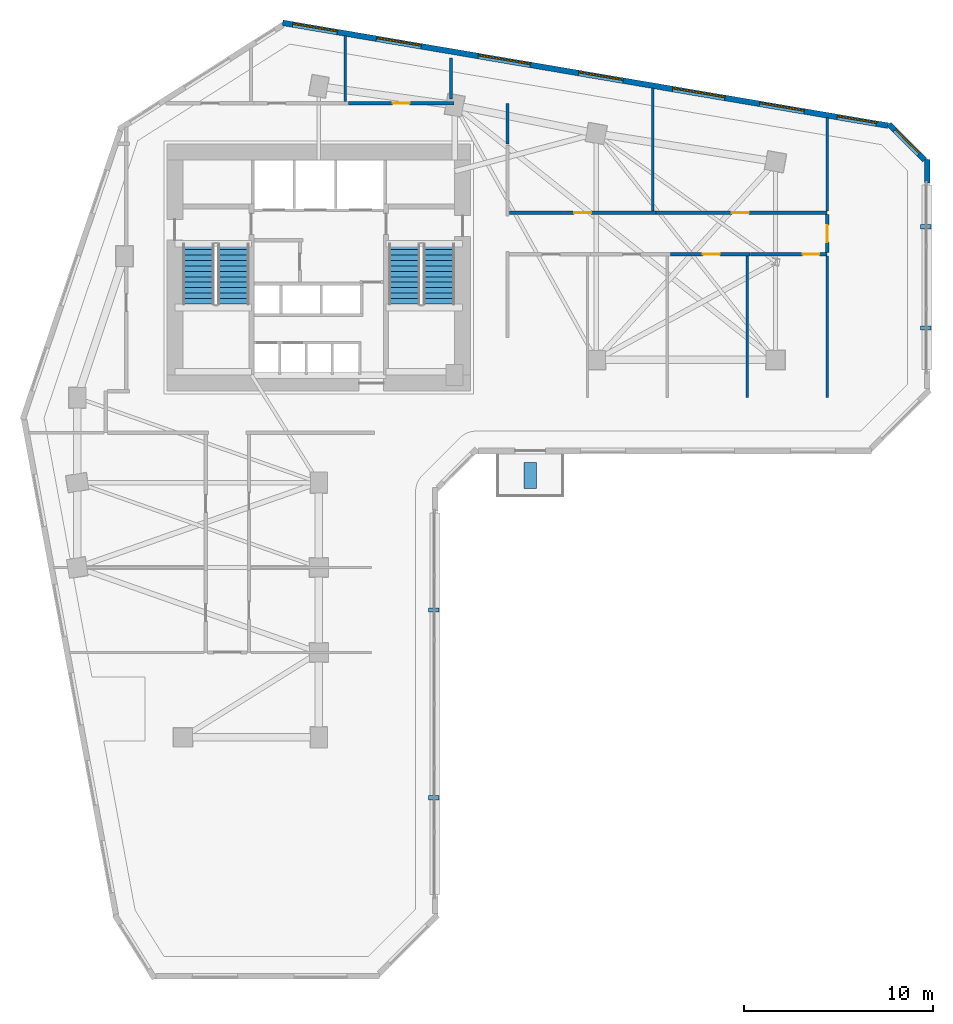
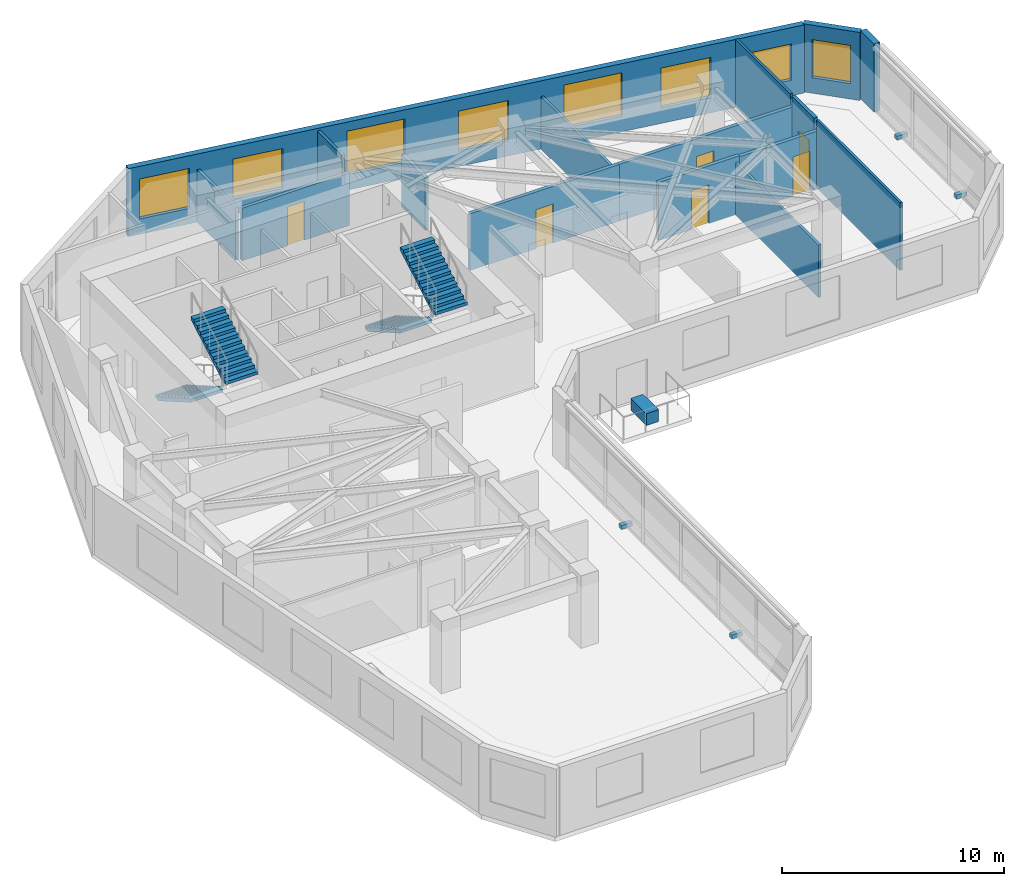
# One storey, part 7 of 10: 16 walls, 8 windows, 6 doors, 5 discrete accessories, 4 stair flights, 14 openings, 2 elements without a shape of their own.
"""IFC4 building model written with IfcOpenShell, lengths in metres."""

from ifc_helpers import new_model, si_unit, direction, frame, frame_2d, origin, origin_2d, place, context, subcontext, project, spatial, polyline, rectangle, outline, extrude, source, transform, mapped, material, layer, layer_set, type_object, element, fill, aggregate, save


model = new_model("IFC4")

# Units and contexts
model_context = context("Model", 3, precision=1e-05, world=origin(), true_north=direction((0.0, 1.0)))
body_context = subcontext(model_context, "Body", "Model", "MODEL_VIEW")
ifc_project = project(units=[si_unit("LENGTHUNIT", "METRE"), si_unit("AREAUNIT", "SQUARE_METRE"), si_unit("VOLUMEUNIT", "CUBIC_METRE"), si_unit("PLANEANGLEUNIT", "RADIAN"), si_unit("MASSUNIT", "GRAM", prefix="KILO")], contexts=[model_context])

# Site, building, storey
site_placement = place(None, origin())
site = spatial("IfcSite", under=ifc_project, at=site_placement, CompositionType="ELEMENT")
building_placement = place(site_placement, origin())
building = spatial("IfcBuilding", under=site, at=building_placement, Name="Calvemar Wedge Station Tower", CompositionType="ELEMENT")
storey_placement = place(building_placement, frame((0.0, 0.0, 87.0)))
storey = spatial("IfcBuildingStorey", under=building, at=storey_placement, Name="L21", CompositionType="ELEMENT", Elevation=87.0)

# Wall, opening, door
ifc_material_1 = material(Name="Double-stud fire-rated corridor partition")
ifc_layer_1 = layer(ifc_material_1, 0.179931640625)
ifc_layer_set_1 = layer_set([ifc_layer_1], Name="Double-stud fire-rated corridor partition")
wall_type_1 = type_object("IfcWallType", Name="W-CORR-180", PredefinedType="PARTITIONING", material=ifc_layer_set_1)
wall_1_placement = place(storey_placement, frame((25.362060546875, 48.60009765625, 0.0), z_axis=(0.0, 0.0, 1.0), x_axis=(1.0, 0.0, 0.0)))
wall_1 = element("IfcWall", 1, at=wall_1_placement, inside=storey, type_object=wall_type_1, Name="Storey L21 Interior Partition WL-L21-012", PredefinedType="PARTITIONING", context=body_context, shape_type="SweptSolid", body=[
    extrude(rectangle(XDim=5.597900390625, YDim=0.179931640625, at=frame_2d((2.798828125, 0.0))), origin(), (0.0, 0.0, 1.0), 2.89208984375),
])
shared_shape_1 = source(origin(), body_context, "Body", "SweptSolid", [
    extrude(rectangle(XDim=0.89990234375, YDim=2.14990234375, at=frame_2d((0.449951171875, 1.074951171875))), frame((0.0, 0.10009765625, 0.0), z_axis=(0.0, -1.0, 0.0), x_axis=(1.0, 0.0, 0.0)), (0.0, 0.0, 1.0), 0.199951171875),
])
opening_1_placement = place(wall_1_placement, frame((2.34912109375, 0.0, 0.0)))
opening_1 = element("IfcOpeningElement", 2, at=opening_1_placement, cuts=wall_1, Name="Opening D-01", PredefinedType="OPENING", context=body_context, shape_type="MappedRepresentation", body=[
    mapped(shared_shape_1, transform((0.0, 0.0, 0.0), scale=1.0)),
])
ifc_material_2 = material(Name="Architectural hardwood acoustic swing door", Category="wood")
door_type = type_object("IfcDoorType", Name="DR-INT-900", OperationType="NOTDEFINED", PredefinedType="DOOR", material=ifc_material_2)
shared_shape_2 = source(origin(), body_context, "Body", "SweptSolid", [
    extrude(rectangle(XDim=0.89990234375, YDim=2.14990234375, at=frame_2d((0.449951171875, 1.074951171875))), frame((0.0, 0.02490234375, 0.0), z_axis=(0.0, -1.0, 0.0), x_axis=(1.0, 0.0, 0.0)), (0.0, 0.0, 1.0), 0.050048828125),
])
door_1_placement = place(opening_1_placement, origin())
door_1 = element("IfcDoor", 3, at=door_1_placement, inside=storey, type_object=door_type, Name="L21 Female Toilet Door", OperationType="SINGLE_SWING_RIGHT", OverallHeight=2.14990234375, OverallWidth=0.89990234375, PredefinedType="DOOR", context=body_context, shape_type="MappedRepresentation", body=[
    mapped(shared_shape_2, transform((0.0, 0.0, 0.0), scale=1.0)),
])
fill(opening_1, door_1)

# Wall
wall_2_placement = place(storey_placement, frame((33.800048828125, 48.60009765625, 0.0), z_axis=(0.0, 0.0, 1.0), x_axis=(0.0, -1.0, 0.0)))
element("IfcWall", 4, at=wall_2_placement, inside=storey, type_object=wall_type_1, Name="Storey L21 Interior Partition WL-L21-013", PredefinedType="PARTITIONING", context=body_context, shape_type="SweptSolid", body=[
    extrude(rectangle(XDim=2.150146484375, YDim=0.179931640625, at=frame_2d((1.0751953125, 0.0))), origin(), (0.0, 0.0, 1.0), 2.89208984375),
])

# Wall, opening, door
wall_3_placement = place(storey_placement, frame((46.660888671875, 40.60009765625, 0.0), z_axis=(0.0, 0.0, 1.0), x_axis=(-1.0, 0.0, 0.0)))
wall_3 = element("IfcWall", 5, at=wall_3_placement, inside=storey, type_object=wall_type_1, Name="Storey L21 Interior Partition WL-L21-021", PredefinedType="PARTITIONING", context=body_context, shape_type="SweptSolid", body=[
    extrude(rectangle(XDim=4.23193359375, YDim=0.179931640625, at=frame_2d((2.115966796875, 0.0))), origin(), (0.0, 0.0, 1.0), 3.18798828125),
])
opening_2_placement = place(wall_3_placement, frame((1.605712890625, 0.0, 0.0)))
opening_2 = element("IfcOpeningElement", 6, at=opening_2_placement, cuts=wall_3, Name="Opening D-01", PredefinedType="OPENING", context=body_context, shape_type="MappedRepresentation", body=[
    mapped(shared_shape_1, transform((0.0, 0.0, 0.0), scale=1.0)),
])
door_2_placement = place(opening_2_placement, origin())
door_2 = element("IfcDoor", 7, at=door_2_placement, inside=storey, type_object=door_type, Name="L21 Co-Working Studio Door", OperationType="SINGLE_SWING_LEFT", OverallHeight=2.14990234375, OverallWidth=0.89990234375, PredefinedType="DOOR", context=body_context, shape_type="MappedRepresentation", body=[
    mapped(shared_shape_2, transform((0.0, 0.0, 0.0), scale=1.0)),
])
fill(opening_2, door_2)

wall_4_placement = place(storey_placement, frame((50.735107421875, 40.60009765625, 0.0), z_axis=(0.0, 0.0, 1.0), x_axis=(-1.0, 0.0, 0.0)))
wall_4 = element("IfcWall", 8, at=wall_4_placement, inside=storey, type_object=wall_type_1, Name="Storey L21 Interior Partition WL-L21-022", PredefinedType="PARTITIONING", context=body_context, shape_type="SweptSolid", body=[
    extrude(rectangle(XDim=4.072021484375, YDim=0.179931640625, at=frame_2d((2.0361328125, 0.0))), origin(), (0.0, 0.0, 1.0), 3.125),
])
opening_3_placement = place(wall_4_placement, frame((0.404296875, 0.0, 0.0)))
opening_3 = element("IfcOpeningElement", 9, at=opening_3_placement, cuts=wall_4, Name="Opening D-01", PredefinedType="OPENING", context=body_context, shape_type="MappedRepresentation", body=[
    mapped(shared_shape_1, transform((0.0, 0.0, 0.0), scale=1.0)),
])
door_3_placement = place(opening_3_placement, origin())
door_3 = element("IfcDoor", 10, at=door_3_placement, inside=storey, type_object=door_type, Name="L21 Meeting Room Door", OperationType="SINGLE_SWING_RIGHT", OverallHeight=2.14990234375, OverallWidth=0.89990234375, PredefinedType="DOOR", context=body_context, shape_type="MappedRepresentation", body=[
    mapped(shared_shape_2, transform((0.0, 0.0, 0.0), scale=1.0)),
])
fill(opening_3, door_3)

wall_5_placement = place(storey_placement, frame((33.89404296875, 42.800048828125, 0.0), z_axis=(0.0, 0.0, 1.0), x_axis=(1.0, 0.0, 0.0)))
wall_5 = element("IfcWall", 11, at=wall_5_placement, inside=storey, type_object=wall_type_1, Name="Storey L21 Interior Partition WL-L21-023", PredefinedType="PARTITIONING", context=body_context, shape_type="SweptSolid", body=[
    extrude(rectangle(XDim=7.765869140625, YDim=0.179931640625, at=frame_2d((3.8828125, 0.0))), origin(), (0.0, 0.0, 1.0), 3.125),
])
opening_4_placement = place(wall_5_placement, frame((3.43310546875, 0.0, 0.0)))
opening_4 = element("IfcOpeningElement", 12, at=opening_4_placement, cuts=wall_5, Name="Opening D-01", PredefinedType="OPENING", context=body_context, shape_type="MappedRepresentation", body=[
    mapped(shared_shape_1, transform((0.0, 0.0, 0.0), scale=1.0)),
])
door_4_placement = place(opening_4_placement, origin())
door_4 = element("IfcDoor", 13, at=door_4_placement, inside=storey, type_object=door_type, Name="L21 Meeting Room Door", OperationType="SINGLE_SWING_LEFT", OverallHeight=2.14990234375, OverallWidth=0.89990234375, PredefinedType="DOOR", context=body_context, shape_type="MappedRepresentation", body=[
    mapped(shared_shape_2, transform((0.0, 0.0, 0.0), scale=1.0)),
])
fill(opening_4, door_4)

wall_6_placement = place(storey_placement, frame((41.662109375, 42.800048828125, 0.0), z_axis=(0.0, 0.0, 1.0), x_axis=(1.0, 0.0, 0.0)))
wall_6 = element("IfcWall", 14, at=wall_6_placement, inside=storey, type_object=wall_type_1, Name="Storey L21 Interior Partition WL-L21-024", PredefinedType="PARTITIONING", context=body_context, shape_type="SweptSolid", body=[
    extrude(rectangle(XDim=9.072998046875, YDim=0.179931640625, at=frame_2d((4.53662109375, 0.0))), origin(), (0.0, 0.0, 1.0), 3.125),
])
opening_5_placement = place(wall_6_placement, frame((4.026123046875, 0.0, 0.0)))
opening_5 = element("IfcOpeningElement", 15, at=opening_5_placement, cuts=wall_6, Name="Opening D-01", PredefinedType="OPENING", context=body_context, shape_type="MappedRepresentation", body=[
    mapped(shared_shape_1, transform((0.0, 0.0, 0.0), scale=1.0)),
])
door_5_placement = place(opening_5_placement, origin())
door_5 = element("IfcDoor", 16, at=door_5_placement, inside=storey, type_object=door_type, Name="L21 Co-Working Studio Door", OperationType="SINGLE_SWING_RIGHT", OverallHeight=2.14990234375, OverallWidth=0.89990234375, PredefinedType="DOOR", context=body_context, shape_type="MappedRepresentation", body=[
    mapped(shared_shape_2, transform((0.0, 0.0, 0.0), scale=1.0)),
])
fill(opening_5, door_5)

wall_7_placement = place(storey_placement, frame((50.735107421875, 42.7060546875, 0.0), z_axis=(0.0, 0.0, 1.0), x_axis=(0.0, -1.0, 0.0)))
wall_7 = element("IfcWall", 17, at=wall_7_placement, inside=storey, type_object=wall_type_1, Name="Storey L21 Interior Partition WL-L21-025", PredefinedType="PARTITIONING", context=body_context, shape_type="SweptSolid", body=[
    extrude(rectangle(XDim=2.011962890625, YDim=0.179931640625, at=frame_2d((1.005859375, 0.0))), origin(), (0.0, 0.0, 1.0), 3.75),
])
opening_6_placement = place(wall_7_placement, frame((0.555908203125, 0.0, 0.0)))
opening_6 = element("IfcOpeningElement", 18, at=opening_6_placement, cuts=wall_7, Name="Opening D-01", PredefinedType="OPENING", context=body_context, shape_type="MappedRepresentation", body=[
    mapped(shared_shape_1, transform((0.0, 0.0, 0.0), scale=1.0)),
])
door_6_placement = place(opening_6_placement, origin())
door_6 = element("IfcDoor", 19, at=door_6_placement, inside=storey, type_object=door_type, Name="L21 Conference Hall Door", OperationType="SINGLE_SWING_LEFT", OverallHeight=2.14990234375, OverallWidth=0.89990234375, PredefinedType="DOOR", context=body_context, shape_type="MappedRepresentation", body=[
    mapped(shared_shape_2, transform((0.0, 0.0, 0.0), scale=1.0)),
])
fill(opening_6, door_6)

# Wall
ifc_material_3 = material(Name="Precast concrete C45", Category="concrete")
ifc_layer_2 = layer(ifc_material_3, 0.300048828125)
ifc_layer_set_2 = layer_set([ifc_layer_2], Name="Precast concrete C45")
wall_type_2 = type_object("IfcWallType", Name="W-EXT-GFRC-300", PredefinedType="SOLIDWALL", material=ifc_layer_set_2)
wall_8_placement = place(storey_placement, frame((56.050048828125, 44.390869140625, 0.0), z_axis=(0.0, 0.0, 1.0), x_axis=(0.0, 1.0, 0.0)))
element("IfcWall", 20, at=wall_8_placement, inside=storey, type_object=wall_type_2, Name="Storey L21 Bronze GFRC Corner Pier 8B", PredefinedType="SOLIDWALL", context=body_context, shape_type="SweptSolid", body=[
    extrude(rectangle(XDim=1.22509765625, YDim=0.300048828125, at=frame_2d((0.612548828125, 0.0))), origin(), (0.0, 0.0, 1.0), 3.75),
])

# Wall, opening, window
wall_9_placement = place(storey_placement, frame((55.912109375, 45.60400390625, 0.0), z_axis=(0.0, 0.0, 1.0), x_axis=(-0.707152443695, 0.707061115729, 0.0)))
wall_9 = element("IfcWall", 21, at=wall_9_placement, inside=storey, type_object=wall_type_2, Name="Storey L21 Bronze GFRC Exterior Wall 9", PredefinedType="SOLIDWALL", context=body_context, shape_type="SweptSolid", body=[
    extrude(rectangle(XDim=2.67333984375, YDim=0.300048828125, at=frame_2d((1.336669921875, 0.0))), origin(), (0.0, 0.0, 1.0), 3.75),
])
shared_shape_3 = source(origin(), body_context, "Body", "SweptSolid", [
    extrude(rectangle(XDim=1.800048828125, YDim=2.10009765625, at=frame_2d((0.89990234375, 1.050048828125))), frame((0.0, 0.16015625, 0.0), z_axis=(0.0, -1.0, 0.0), x_axis=(1.0, 0.0, 0.0)), (0.0, 0.0, 1.0), 0.320068359375),
])
opening_7_placement = place(wall_9_placement, frame((0.43701171875, 0.0, 0.85009765625)))
opening_7 = element("IfcOpeningElement", 22, at=opening_7_placement, cuts=wall_9, Name="Opening W2", PredefinedType="OPENING", context=body_context, shape_type="MappedRepresentation", body=[
    mapped(shared_shape_3, transform((0.0, 0.0, 0.0), scale=1.0)),
])
ifc_material_4 = material(Name="Low-E laminated insulated glass", Category="glass")
window_type_1 = type_object("IfcWindowType", Name="WIN-EXT-2", PartitioningType="SINGLE_PANEL", PredefinedType="WINDOW", material=ifc_material_4)
shared_shape_4 = source(origin(), body_context, "Body", "SweptSolid", [
    extrude(rectangle(XDim=1.800048828125, YDim=2.10009765625, at=frame_2d((0.89990234375, 1.050048828125))), frame((0.0, -0.014892578125, 0.0), z_axis=(0.0, -1.0, 0.0), x_axis=(1.0, 0.0, 0.0)), (0.0, 0.0, 1.0), 0.06005859375),
])
window_1_placement = place(opening_7_placement, origin())
window_1 = element("IfcWindow", 23, at=window_1_placement, inside=storey, type_object=window_type_1, Name="Storey L21 Recessed Window 9.1", OverallHeight=2.10009765625, OverallWidth=1.800048828125, PartitioningType="SINGLE_PANEL", PredefinedType="WINDOW", context=body_context, shape_type="MappedRepresentation", body=[
    mapped(shared_shape_4, transform((0.0, 0.0, 0.0), scale=1.0)),
])
fill(opening_7, window_1)

# Wall, openings, windows
wall_10_placement = place(storey_placement, frame((53.9609375, 47.41650390625, 0.0), z_axis=(0.0, 0.0, 1.0), x_axis=(-0.985865713455, 0.167537443678, 0.0)))
wall_10 = element("IfcWall", 24, at=wall_10_placement, inside=storey, type_object=wall_type_2, Name="Storey L21 Bronze GFRC Exterior Wall 10", PredefinedType="SOLIDWALL", context=body_context, shape_type="SweptSolid", body=[
    extrude(rectangle(XDim=32.537109375, YDim=0.300048828125, at=frame_2d((16.2685546875, 0.0))), origin(), (0.0, 0.0, 1.0), 3.75),
])
shared_shape_5 = source(origin(), body_context, "Body", "SweptSolid", [
    extrude(rectangle(XDim=2.10009765625, YDim=2.0, at=frame_2d((1.050048828125, 1.0))), frame((0.0, 0.16015625, 0.0), z_axis=(0.0, -1.0, 0.0), x_axis=(1.0, 0.0, 0.0)), (0.0, 0.0, 1.0), 0.320068359375),
])
opening_8_placement = place(wall_10_placement, frame((0.6259765625, 0.0, 0.85009765625)))
opening_8 = element("IfcOpeningElement", 25, at=opening_8_placement, cuts=wall_10, Name="Opening W4", PredefinedType="OPENING", context=body_context, shape_type="MappedRepresentation", body=[
    mapped(shared_shape_5, transform((0.0, 0.0, 0.0), scale=1.0)),
])
shared_shape_6 = source(origin(), body_context, "Body", "SweptSolid", [
    extrude(rectangle(XDim=2.39990234375, YDim=2.199951171875, at=frame_2d((1.199951171875, 1.10009765625))), frame((0.0, 0.16015625, 0.0), z_axis=(0.0, -1.0, 0.0), x_axis=(1.0, 0.0, 0.0)), (0.0, 0.0, 1.0), 0.320068359375),
])
opening_9_placement = place(wall_10_placement, frame((4.50390625, 0.0, 0.85009765625)))
opening_9 = element("IfcOpeningElement", 26, at=opening_9_placement, cuts=wall_10, Name="Opening W1", PredefinedType="OPENING", context=body_context, shape_type="MappedRepresentation", body=[
    mapped(shared_shape_6, transform((0.0, 0.0, 0.0), scale=1.0)),
])
shared_shape_7 = source(origin(), body_context, "Body", "SweptSolid", [
    extrude(rectangle(XDim=2.800048828125, YDim=2.39990234375, at=frame_2d((1.39990234375, 1.199951171875))), frame((0.0, 0.16015625, 0.0), z_axis=(0.0, -1.0, 0.0), x_axis=(1.0, 0.0, 0.0)), (0.0, 0.0, 1.0), 0.320068359375),
])
opening_10_placement = place(wall_10_placement, frame((8.76806640625, 0.0, 0.85009765625)))
opening_10 = element("IfcOpeningElement", 27, at=opening_10_placement, cuts=wall_10, Name="Opening W6", PredefinedType="OPENING", context=body_context, shape_type="MappedRepresentation", body=[
    mapped(shared_shape_7, transform((0.0, 0.0, 0.0), scale=1.0)),
])
opening_11_placement = place(wall_10_placement, frame((14.23388671875, 0.0, 0.85009765625)))
opening_11 = element("IfcOpeningElement", 28, at=opening_11_placement, cuts=wall_10, Name="Opening W1", PredefinedType="OPENING", context=body_context, shape_type="MappedRepresentation", body=[
    mapped(shared_shape_6, transform((0.0, 0.0, 0.0), scale=1.0)),
])
opening_12_placement = place(wall_10_placement, frame((19.221923828125, 0.0, 0.85009765625)))
opening_12 = element("IfcOpeningElement", 29, at=opening_12_placement, cuts=wall_10, Name="Opening W6", PredefinedType="OPENING", context=body_context, shape_type="MappedRepresentation", body=[
    mapped(shared_shape_7, transform((0.0, 0.0, 0.0), scale=1.0)),
])
opening_13_placement = place(wall_10_placement, frame((25.094970703125, 0.0, 0.85009765625)))
opening_13 = element("IfcOpeningElement", 30, at=opening_13_placement, cuts=wall_10, Name="Opening W1", PredefinedType="OPENING", context=body_context, shape_type="MappedRepresentation", body=[
    mapped(shared_shape_6, transform((0.0, 0.0, 0.0), scale=1.0)),
])
opening_14_placement = place(wall_10_placement, frame((29.594970703125, 0.0, 0.85009765625)))
opening_14 = element("IfcOpeningElement", 31, at=opening_14_placement, cuts=wall_10, Name="Opening W1", PredefinedType="OPENING", context=body_context, shape_type="MappedRepresentation", body=[
    mapped(shared_shape_6, transform((0.0, 0.0, 0.0), scale=1.0)),
])
window_type_2 = type_object("IfcWindowType", Name="WIN-EXT-4", PartitioningType="SINGLE_PANEL", PredefinedType="WINDOW", material=ifc_material_4)
shared_shape_8 = source(origin(), body_context, "Body", "SweptSolid", [
    extrude(rectangle(XDim=2.10009765625, YDim=2.0, at=frame_2d((1.050048828125, 1.0))), frame((0.0, -0.014892578125, 0.0), z_axis=(0.0, -1.0, 0.0), x_axis=(1.0, 0.0, 0.0)), (0.0, 0.0, 1.0), 0.06005859375),
])
window_2_placement = place(opening_8_placement, origin())
window_2 = element("IfcWindow", 32, at=window_2_placement, inside=storey, type_object=window_type_2, Name="Storey L21 Recessed Window 10.1", OverallHeight=2.0, OverallWidth=2.10009765625, PartitioningType="SINGLE_PANEL", PredefinedType="WINDOW", context=body_context, shape_type="MappedRepresentation", body=[
    mapped(shared_shape_8, transform((0.0, 0.0, 0.0), scale=1.0)),
])
fill(opening_8, window_2)
window_type_3 = type_object("IfcWindowType", Name="WIN-EXT-6", PartitioningType="SINGLE_PANEL", PredefinedType="WINDOW", material=ifc_material_4)
shared_shape_9 = source(origin(), body_context, "Body", "SweptSolid", [
    extrude(rectangle(XDim=2.800048828125, YDim=2.39990234375, at=frame_2d((1.39990234375, 1.199951171875))), frame((0.0, -0.014892578125, 0.0), z_axis=(0.0, -1.0, 0.0), x_axis=(1.0, 0.0, 0.0)), (0.0, 0.0, 1.0), 0.06005859375),
])
window_3_placement = place(opening_10_placement, origin())
window_3 = element("IfcWindow", 33, at=window_3_placement, inside=storey, type_object=window_type_3, Name="Storey L21 Recessed Window 10.3", OverallHeight=2.39990234375, OverallWidth=2.800048828125, PartitioningType="SINGLE_PANEL", PredefinedType="WINDOW", context=body_context, shape_type="MappedRepresentation", body=[
    mapped(shared_shape_9, transform((0.0, 0.0, 0.0), scale=1.0)),
])
fill(opening_10, window_3)
window_4_placement = place(opening_12_placement, origin())
window_4 = element("IfcWindow", 34, at=window_4_placement, inside=storey, type_object=window_type_3, Name="Storey L21 Recessed Window 10.5", OverallHeight=2.39990234375, OverallWidth=2.800048828125, PartitioningType="SINGLE_PANEL", PredefinedType="WINDOW", context=body_context, shape_type="MappedRepresentation", body=[
    mapped(shared_shape_9, transform((0.0, 0.0, 0.0), scale=1.0)),
])
fill(opening_12, window_4)
window_type_4 = type_object("IfcWindowType", Name="WIN-EXT-1", PartitioningType="SINGLE_PANEL", PredefinedType="WINDOW", material=ifc_material_4)
shared_shape_10 = source(origin(), body_context, "Body", "SweptSolid", [
    extrude(rectangle(XDim=2.39990234375, YDim=2.199951171875, at=frame_2d((1.199951171875, 1.10009765625))), frame((0.0, -0.014892578125, 0.0), z_axis=(0.0, -1.0, 0.0), x_axis=(1.0, 0.0, 0.0)), (0.0, 0.0, 1.0), 0.06005859375),
])
window_5_placement = place(opening_9_placement, origin())
window_5 = element("IfcWindow", 35, at=window_5_placement, inside=storey, type_object=window_type_4, Name="Storey L21 Recessed Window 10.2", OverallHeight=2.199951171875, OverallWidth=2.39990234375, PartitioningType="SINGLE_PANEL", PredefinedType="WINDOW", context=body_context, shape_type="MappedRepresentation", body=[
    mapped(shared_shape_10, transform((0.0, 0.0, 0.0), scale=1.0)),
])
fill(opening_9, window_5)
window_6_placement = place(opening_11_placement, origin())
window_6 = element("IfcWindow", 36, at=window_6_placement, inside=storey, type_object=window_type_4, Name="Storey L21 Recessed Window 10.4", OverallHeight=2.199951171875, OverallWidth=2.39990234375, PartitioningType="SINGLE_PANEL", PredefinedType="WINDOW", context=body_context, shape_type="MappedRepresentation", body=[
    mapped(shared_shape_10, transform((0.0, 0.0, 0.0), scale=1.0)),
])
fill(opening_11, window_6)
window_7_placement = place(opening_13_placement, origin())
window_7 = element("IfcWindow", 37, at=window_7_placement, inside=storey, type_object=window_type_4, Name="Storey L21 Recessed Window 10.6", OverallHeight=2.199951171875, OverallWidth=2.39990234375, PartitioningType="SINGLE_PANEL", PredefinedType="WINDOW", context=body_context, shape_type="MappedRepresentation", body=[
    mapped(shared_shape_10, transform((0.0, 0.0, 0.0), scale=1.0)),
])
fill(opening_13, window_7)
window_8_placement = place(opening_14_placement, origin())
window_8 = element("IfcWindow", 38, at=window_8_placement, inside=storey, type_object=window_type_4, Name="Storey L21 Recessed Window 10.7", OverallHeight=2.199951171875, OverallWidth=2.39990234375, PartitioningType="SINGLE_PANEL", PredefinedType="WINDOW", context=body_context, shape_type="MappedRepresentation", body=[
    mapped(shared_shape_10, transform((0.0, 0.0, 0.0), scale=1.0)),
])
fill(opening_14, window_8)

# Walls
ifc_material_5 = material(Name="Insulated acoustic gypsum stud partition")
ifc_layer_3 = layer(ifc_material_5, 0.125)
ifc_layer_set_3 = layer_set([ifc_layer_3], Name="Insulated acoustic gypsum stud partition")
wall_type_3 = type_object("IfcWallType", Name="W-PART-125", PredefinedType="PARTITIONING", material=ifc_layer_set_3)
wall_11_placement = place(storey_placement, frame((46.5009765625, 40.506103515625, 0.0), z_axis=(0.0, 0.0, 1.0), x_axis=(0.0, -1.0, 0.0)))
element("IfcWall", 39, at=wall_11_placement, inside=storey, type_object=wall_type_3, Name="Storey L21 Interior Partition WL-L21-028", PredefinedType="PARTITIONING", context=body_context, shape_type="SweptSolid", body=[
    extrude(rectangle(XDim=7.506103515625, YDim=0.125, at=frame_2d((3.7529296875, 0.0))), origin(), (0.0, 0.0, 1.0), 2.89208984375),
])
wall_12_placement = place(storey_placement, frame((50.735107421875, 40.506103515625, 0.0), z_axis=(0.0, 0.0, 1.0), x_axis=(0.0, -1.0, 0.0)))
element("IfcWall", 40, at=wall_12_placement, inside=storey, type_object=wall_type_3, Name="Storey L21 Interior Partition WL-L21-029", PredefinedType="PARTITIONING", context=body_context, shape_type="SweptSolid", body=[
    extrude(rectangle(XDim=7.506103515625, YDim=0.125, at=frame_2d((3.7529296875, 0.0))), origin(), (0.0, 0.0, 1.0), 3.75),
])
wall_13_placement = place(storey_placement, frame((41.5, 49.41748046875, 0.0), z_axis=(0.0, 0.0, 1.0), x_axis=(0.0, -1.0, 0.0)))
element("IfcWall", 41, at=wall_13_placement, inside=storey, type_object=wall_type_3, Name="Storey L21 Interior Partition WL-L21-030", PredefinedType="PARTITIONING", context=body_context, shape_type="SweptSolid", body=[
    extrude(rectangle(XDim=6.5234375, YDim=0.125, at=frame_2d((3.26171875, 0.0))), origin(), (0.0, 0.0, 1.0), 2.89208984375),
])
wall_14_placement = place(storey_placement, frame((50.735107421875, 47.847900390625, 0.0), z_axis=(0.0, 0.0, 1.0), x_axis=(0.0, -1.0, 0.0)))
element("IfcWall", 42, at=wall_14_placement, inside=storey, type_object=wall_type_3, Name="Storey L21 Interior Partition WL-L21-031", PredefinedType="PARTITIONING", context=body_context, shape_type="SweptSolid", body=[
    extrude(rectangle(XDim=4.953857421875, YDim=0.125, at=frame_2d((2.47705078125, 0.0))), origin(), (0.0, 0.0, 1.0), 3.75),
])
ifc_material_6 = material(Name="Moisture-resistant acoustic bathroom partition")
ifc_layer_4 = layer(ifc_material_6, 0.14990234375)
ifc_layer_set_4 = layer_set([ifc_layer_4], Name="Moisture-resistant acoustic bathroom partition")
wall_type_4 = type_object("IfcWallType", Name="W-WET-150", PredefinedType="PARTITIONING", material=ifc_layer_set_4)
wall_15_placement = place(storey_placement, frame((25.199951171875, 52.1875, 0.0), z_axis=(0.0, 0.0, 1.0), x_axis=(0.0, -1.0, 0.0)))
element("IfcWall", 43, at=wall_15_placement, inside=storey, type_object=wall_type_4, Name="Storey L21 Interior Partition WL-L21-018", PredefinedType="PARTITIONING", context=body_context, shape_type="SweptSolid", body=[
    extrude(rectangle(XDim=3.493408203125, YDim=0.14990234375, at=frame_2d((1.74658203125, 0.0))), origin(), (0.0, 0.0, 1.0), 2.89208984375),
])
wall_16_placement = place(storey_placement, frame((30.800048828125, 51.0126953125, 0.0), z_axis=(0.0, 0.0, 1.0), x_axis=(0.0, -1.0, 0.0)))
element("IfcWall", 44, at=wall_16_placement, inside=storey, type_object=wall_type_4, Name="Storey L21 Bathroom Enclosure Wall WL-L21-041", PredefinedType="PARTITIONING", context=body_context, shape_type="SweptSolid", body=[
    extrude(rectangle(XDim=2.192626953125, YDim=0.14990234375, at=frame_2d((1.09619140625, 0.0))), origin(), (0.0, 0.0, 1.0), 3.75),
])

# Stair, stair flights
ifc_material_7 = material(Name="Concrete C45", Category="concrete")
stair_type = type_object("IfcStairType", Name="ST-TYPE-4000", PredefinedType="HALF_TURN_STAIR", material=ifc_material_7)
stair_1_placement = place(storey_placement, origin())
stair_1 = element("IfcStair", 45, at=stair_1_placement, inside=storey, type_object=stair_type, Name="L21 Pressurized Core Exit Stair ST-C1", PredefinedType="HALF_TURN_STAIR")
stair_flight_type = type_object("IfcStairFlightType", Name="STF-TYPE-4000", PredefinedType="STRAIGHT", material=ifc_material_7)
stair_flight_1_placement = place(storey_placement, frame((17.429931640625, 41.14990234375, 0.0), z_axis=(0.0, 0.0, 1.0), x_axis=(0.0, -1.0, 0.0)))
stair_flight_1 = element("IfcStairFlight", 46, at=stair_flight_1_placement, type_object=stair_flight_type, Name="ST-C1 flight 1", NumberOfRisers=12, NumberOfTreads=11, PredefinedType="STRAIGHT", RiserHeight=0.166666667, TreadLength=0.29, context=body_context, shape_type="SweptSolid", body=[
    extrude(outline(polyline([(0.0, 0.0), (0.0, 0.166748046875), (0.2900390625, 0.166748046875), (0.2900390625, 0.333251953125), (0.580078125, 0.333251953125), (0.580078125, 0.5), (0.8701171875, 0.5), (0.8701171875, 0.666748046875), (1.159912109375, 0.666748046875), (1.159912109375, 0.833251953125), (1.449951171875, 0.833251953125), (1.449951171875, 1.0), (1.739990234375, 1.0), (1.739990234375, 1.166748046875), (2.030029296875, 1.166748046875), (2.030029296875, 1.333251953125), (2.320068359375, 1.333251953125), (2.320068359375, 1.5), (2.610107421875, 1.5), (2.610107421875, 1.666748046875), (2.89990234375, 1.666748046875), (2.89990234375, 1.833251953125), (3.18994140625, 1.833251953125), (3.18994140625, 2.0), (3.18994140625, 1.660400390625), (0.30078125, 0.0), (0.0, 0.0)])), frame((0.0, 0.830078125, 0.0), z_axis=(0.0, -1.0, 0.0), x_axis=(1.0, 0.0, 0.0)), (0.0, 0.0, 1.0), 1.659912109375),
])
stair_flight_2_placement = place(storey_placement, frame((19.27001953125, 37.9599609375, 2.0), z_axis=(0.0, 0.0, 1.0), x_axis=(0.0, 1.0, 0.0)))
stair_flight_2 = element("IfcStairFlight", 47, at=stair_flight_2_placement, type_object=stair_flight_type, Name="ST-C1 flight 2", NumberOfRisers=12, NumberOfTreads=11, PredefinedType="STRAIGHT", RiserHeight=0.166666667, TreadLength=0.29, context=body_context, shape_type="SweptSolid", body=[
    extrude(outline(polyline([(0.0, 0.0), (0.0, 0.166748046875), (0.2900390625, 0.166748046875), (0.2900390625, 0.333251953125), (0.580078125, 0.333251953125), (0.580078125, 0.5), (0.8701171875, 0.5), (0.8701171875, 0.666748046875), (1.159912109375, 0.666748046875), (1.159912109375, 0.833251953125), (1.449951171875, 0.833251953125), (1.449951171875, 1.0), (1.739990234375, 1.0), (1.739990234375, 1.166748046875), (2.030029296875, 1.166748046875), (2.030029296875, 1.333251953125), (2.320068359375, 1.333251953125), (2.320068359375, 1.5), (2.610107421875, 1.5), (2.610107421875, 1.666748046875), (2.89990234375, 1.666748046875), (2.89990234375, 1.833251953125), (3.18994140625, 1.833251953125), (3.18994140625, 2.0), (3.18994140625, 1.660400390625), (0.30078125, 0.0), (0.0, 0.0)])), frame((0.0, 0.830078125, 0.0), z_axis=(0.0, -1.0, 0.0), x_axis=(1.0, 0.0, 0.0)), (0.0, 0.0, 1.0), 1.659912109375),
])
aggregate(stair_1, [stair_flight_1, stair_flight_2])

stair_2_placement = place(storey_placement, origin())
stair_2 = element("IfcStair", 48, at=stair_2_placement, inside=storey, type_object=stair_type, Name="L21 Pressurized Core Exit Stair ST-C2", PredefinedType="HALF_TURN_STAIR")
stair_flight_3_placement = place(storey_placement, frame((28.330078125, 41.14990234375, 0.0), z_axis=(0.0, 0.0, 1.0), x_axis=(0.0, -1.0, 0.0)))
stair_flight_3 = element("IfcStairFlight", 49, at=stair_flight_3_placement, type_object=stair_flight_type, Name="ST-C2 flight 1", NumberOfRisers=12, NumberOfTreads=11, PredefinedType="STRAIGHT", RiserHeight=0.166666667, TreadLength=0.29, context=body_context, shape_type="SweptSolid", body=[
    extrude(outline(polyline([(0.0, 0.0), (0.0, 0.166748046875), (0.2900390625, 0.166748046875), (0.2900390625, 0.333251953125), (0.580078125, 0.333251953125), (0.580078125, 0.5), (0.8701171875, 0.5), (0.8701171875, 0.666748046875), (1.159912109375, 0.666748046875), (1.159912109375, 0.833251953125), (1.449951171875, 0.833251953125), (1.449951171875, 1.0), (1.739990234375, 1.0), (1.739990234375, 1.166748046875), (2.030029296875, 1.166748046875), (2.030029296875, 1.333251953125), (2.320068359375, 1.333251953125), (2.320068359375, 1.5), (2.610107421875, 1.5), (2.610107421875, 1.666748046875), (2.89990234375, 1.666748046875), (2.89990234375, 1.833251953125), (3.18994140625, 1.833251953125), (3.18994140625, 2.0), (3.18994140625, 1.660400390625), (0.30078125, 0.0), (0.0, 0.0)])), frame((0.0, 0.830078125, 0.0), z_axis=(0.0, -1.0, 0.0), x_axis=(1.0, 0.0, 0.0)), (0.0, 0.0, 1.0), 1.659912109375),
])
stair_flight_4_placement = place(storey_placement, frame((30.169921875, 37.9599609375, 2.0), z_axis=(0.0, 0.0, 1.0), x_axis=(0.0, 1.0, 0.0)))
stair_flight_4 = element("IfcStairFlight", 50, at=stair_flight_4_placement, type_object=stair_flight_type, Name="ST-C2 flight 2", NumberOfRisers=12, NumberOfTreads=11, PredefinedType="STRAIGHT", RiserHeight=0.166666667, TreadLength=0.29, context=body_context, shape_type="SweptSolid", body=[
    extrude(outline(polyline([(0.0, 0.0), (0.0, 0.166748046875), (0.2900390625, 0.166748046875), (0.2900390625, 0.333251953125), (0.580078125, 0.333251953125), (0.580078125, 0.5), (0.8701171875, 0.5), (0.8701171875, 0.666748046875), (1.159912109375, 0.666748046875), (1.159912109375, 0.833251953125), (1.449951171875, 0.833251953125), (1.449951171875, 1.0), (1.739990234375, 1.0), (1.739990234375, 1.166748046875), (2.030029296875, 1.166748046875), (2.030029296875, 1.333251953125), (2.320068359375, 1.333251953125), (2.320068359375, 1.5), (2.610107421875, 1.5), (2.610107421875, 1.666748046875), (2.89990234375, 1.666748046875), (2.89990234375, 1.833251953125), (3.18994140625, 1.833251953125), (3.18994140625, 2.0), (3.18994140625, 1.660400390625), (0.30078125, 0.0), (0.0, 0.0)])), frame((0.0, 0.830078125, 0.0), z_axis=(0.0, -1.0, 0.0), x_axis=(1.0, 0.0, 0.0)), (0.0, 0.0, 1.0), 1.659912109375),
])
aggregate(stair_2, [stair_flight_3, stair_flight_4])

# Discrete accessories
ifc_material_8 = material(Name="Stainless steel AISI 316L", Category="steel")
discrete_accessory_type_1 = type_object("IfcDiscreteAccessoryType", Name="BRK-316L", PredefinedType="BRACKET", material=ifc_material_8)
shared_shape_11 = source(origin(), body_context, "Body", "SweptSolid", [
    extrude(rectangle(XDim=0.219970703125, YDim=0.56005859375, at=origin_2d()), origin(), (0.0, 0.0, 1.0), 0.219970703125),
])
for number, where, z_axis, x_axis, name in (
    (51, (29.89794921875, 11.798095703125, 0.0), (0.0, 0.0, 1.0), (0.0, 1.0, 0.0), "Storey L21 Recessed Facade Stainless Bracket 4.1"),
    (52, (29.89794921875, 21.75439453125, 0.0), (0.0, 0.0, 1.0), (0.0, 1.0, 0.0), "Storey L21 Recessed Facade Stainless Bracket 4.2"),
    (53, (55.969970703125, 36.69921875, 0.0), (0.0, 0.0, 1.0), (0.0, 1.0, 0.0), "Storey L21 Recessed Facade Stainless Bracket 8.1"),
    (54, (55.969970703125, 42.056640625, 0.0), (0.0, 0.0, 1.0), (0.0, 1.0, 0.0), "Storey L21 Recessed Facade Stainless Bracket 8.2"),
):
    element("IfcDiscreteAccessory", number, at=place(storey_placement, frame(where, z_axis=z_axis, x_axis=x_axis)), inside=storey, type_object=discrete_accessory_type_1, Name=name, PredefinedType="BRACKET", context=body_context, shape_type="MappedRepresentation", body=[
        mapped(shared_shape_11, transform((0.0, 0.0, 0.0), scale=1.0)),
    ])
discrete_accessory_type_2 = type_object("IfcDiscreteAccessoryType", Name="ACC-PLANTER", PredefinedType="USERDEFINED", material=ifc_material_3)
shared_shape_12 = source(origin(), body_context, "Body", "SweptSolid", [
    extrude(rectangle(XDim=0.64990234375, YDim=1.39990234375, at=origin_2d()), origin(), (0.0, 0.0, 1.0), 0.64990234375),
])
discrete_accessory_placement = place(storey_placement, frame((35.0, 28.8779296875, 0.0), z_axis=(0.0, 0.0, 1.0), x_axis=(1.0, 0.0, 0.0)))
element("IfcDiscreteAccessory", 55, at=discrete_accessory_placement, inside=storey, type_object=discrete_accessory_type_2, Name="Storey L21 Planted Terrace GFRC Planter", ObjectType="PLANTER", PredefinedType="USERDEFINED", context=body_context, shape_type="MappedRepresentation", body=[
    mapped(shared_shape_12, transform((0.0, 0.0, 0.0), scale=1.0)),
])

save(model, "model.ifc")
